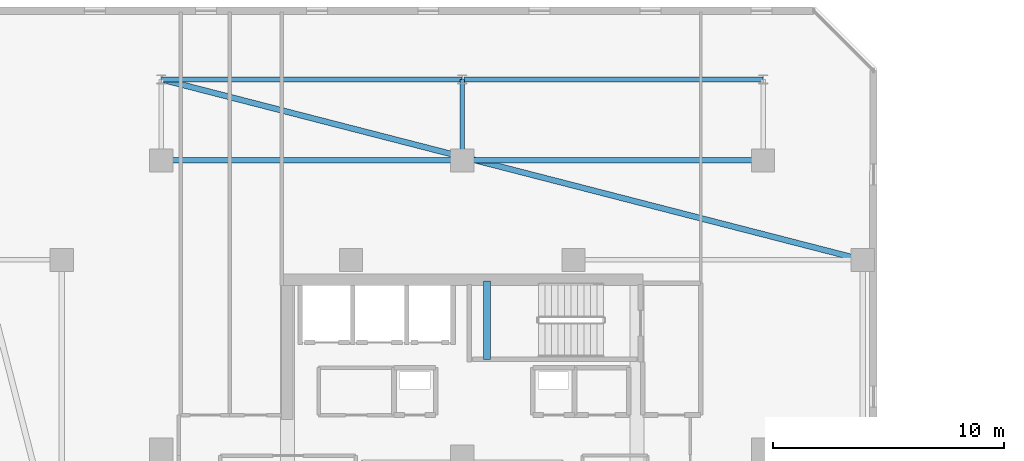
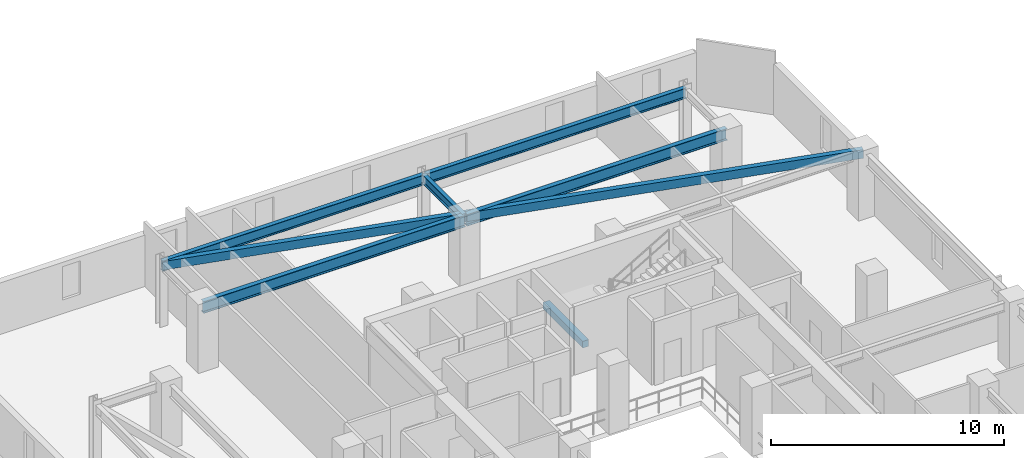
# One storey, part 8 of 33: 7 beams.
"""IFC4 building model written with IfcOpenShell, lengths in metres."""

from ifc_helpers import new_model, si_unit, direction, frame, origin, origin_2d, place, context, subcontext, project, spatial, rectangle, hollow_rectangle, i_section, extrude, material, material_profile, profile_set, type_object, element, save


model = new_model("IFC4")

# Units and contexts
model_context = context("Model", 3, precision=1e-05, world=origin(), true_north=direction((0.0, 1.0)))
body_context = subcontext(model_context, "Body", "Model", "MODEL_VIEW")
ifc_project = project(units=[si_unit("LENGTHUNIT", "METRE"), si_unit("AREAUNIT", "SQUARE_METRE"), si_unit("VOLUMEUNIT", "CUBIC_METRE"), si_unit("PLANEANGLEUNIT", "RADIAN"), si_unit("MASSUNIT", "GRAM", prefix="KILO")], contexts=[model_context])

# Site, building, storey
site_placement = place(None, origin())
site = spatial("IfcSite", under=ifc_project, at=site_placement, CompositionType="ELEMENT")
building_placement = place(site_placement, origin())
building = spatial("IfcBuilding", under=site, at=building_placement, Name="Thornwick Lancets Civic Towers", CompositionType="ELEMENT")
storey_placement = place(building_placement, frame((0.0, 0.0, 210.89990234375)))
storey = spatial("IfcBuildingStorey", under=building, at=storey_placement, Name="L56", CompositionType="ELEMENT", Elevation=210.89990234375)

# Beams
ifc_material_1 = material(Name="Steel S355JR", Category="steel")
ifc_material_profile_1 = material_profile(ifc_material_1, i_section(OverallWidth=0.210693359375, OverallDepth=0.53955078125, WebThickness=0.01171875, FlangeThickness=0.018798828125, FilletRadius=0.0126953125, at=origin_2d()), Name="UKB 533x210x109")
ifc_profile_set_1 = profile_set([ifc_material_profile_1], Name="Steel S355JR")
beam_type_1 = type_object("IfcBeamType", Name="BM_EDGE_533_109", PredefinedType="SPANDREL", material=ifc_profile_set_1)
beam_1_placement = place(storey_placement, frame((12.5, 47.800048828125, 3.09033203125), z_axis=(1.0, 0.0, 0.0), x_axis=(0.0, 1.0, 0.0)))
element("IfcBeam", 1, at=beam_1_placement, inside=storey, type_object=beam_type_1, Name="BM-EDGE-L56-A-S2-1", PredefinedType="SPANDREL", context=body_context, shape_type="SweptSolid", body=[
    extrude(i_section(OverallWidth=0.210693359375, OverallDepth=0.53955078125, WebThickness=0.01171875, FlangeThickness=0.018798828125, FilletRadius=0.0126953125, at=origin_2d()), origin(), (0.0, 0.0, 1.0), 13.0),
])
beam_2_placement = place(storey_placement, frame((25.580078125, 47.800048828125, 3.09033203125), z_axis=(1.0, 0.0, 0.0), x_axis=(0.0, 1.0, 0.0)))
element("IfcBeam", 2, at=beam_2_placement, inside=storey, type_object=beam_type_1, Name="BM-EDGE-L56-A-S2-2", PredefinedType="SPANDREL", context=body_context, shape_type="SweptSolid", body=[
    extrude(i_section(OverallWidth=0.210693359375, OverallDepth=0.53955078125, WebThickness=0.01171875, FlangeThickness=0.018798828125, FilletRadius=0.0126953125, at=origin_2d()), origin(), (0.0, 0.0, 1.0), 12.919921875),
])
ifc_material_profile_2 = material_profile(ifc_material_1, i_section(OverallWidth=0.230224609375, OverallDepth=0.6171875, WebThickness=0.01318359375, FlangeThickness=0.022216796875, FilletRadius=0.0126953125, at=origin_2d()), Name="UKB 610x229x140")
ifc_profile_set_2 = profile_set([ifc_material_profile_2], Name="Steel S355JR")
beam_type_2 = type_object("IfcBeamType", Name="BM_GIRD_610_140", PredefinedType="BEAM", material=ifc_profile_set_2)
beam_3_placement = place(storey_placement, frame((12.5, 44.300048828125, 3.051513671875), z_axis=(1.0, 0.0, 0.0), x_axis=(0.0, 1.0, 0.0)))
element("IfcBeam", 3, at=beam_3_placement, inside=storey, type_object=beam_type_2, Name="BM-SPINE-L56-A-6-7", PredefinedType="BEAM", context=body_context, shape_type="SweptSolid", body=[
    extrude(i_section(OverallWidth=0.230224609375, OverallDepth=0.6171875, WebThickness=0.01318359375, FlangeThickness=0.022216796875, FilletRadius=0.0126953125, at=origin_2d()), origin(), (0.0, 0.0, 1.0), 13.0),
])
beam_4_placement = place(storey_placement, frame((25.580078125, 44.300048828125, 3.051513671875), z_axis=(1.0, 0.0, 0.0), x_axis=(0.0, 1.0, 0.0)))
element("IfcBeam", 4, at=beam_4_placement, inside=storey, type_object=beam_type_2, Name="BM-SPINE-L56-A-7-8", PredefinedType="BEAM", context=body_context, shape_type="SweptSolid", body=[
    extrude(i_section(OverallWidth=0.230224609375, OverallDepth=0.6171875, WebThickness=0.01318359375, FlangeThickness=0.022216796875, FilletRadius=0.0126953125, at=origin_2d()), origin(), (0.0, 0.0, 1.0), 12.919921875),
])
ifc_material_profile_3 = material_profile(ifc_material_1, i_section(OverallWidth=0.19287109375, OverallDepth=0.46728515625, WebThickness=0.011474609375, FlangeThickness=0.01953125, FilletRadius=0.01025390625, at=origin_2d()), Name="UKB 457x191x98")
ifc_profile_set_3 = profile_set([ifc_material_profile_3], Name="Steel S355JR")
beam_type_3 = type_object("IfcBeamType", Name="BM_JOIST_457_98", PredefinedType="JOIST", material=ifc_profile_set_3)
beam_5_placement = place(storey_placement, frame((25.5, 44.300048828125, 3.12646484375), z_axis=(0.0, 1.0, 0.0), x_axis=(-1.0, 0.0, 0.0)))
element("IfcBeam", 5, at=beam_5_placement, inside=storey, type_object=beam_type_3, Name="BM-RAD-L56-A08", PredefinedType="JOIST", context=body_context, shape_type="SweptSolid", body=[
    extrude(i_section(OverallWidth=0.19287109375, OverallDepth=0.46728515625, WebThickness=0.011474609375, FlangeThickness=0.01953125, FilletRadius=0.01025390625, at=origin_2d()), origin(), (0.0, 0.0, 1.0), 3.5),
])
ifc_material_profile_4 = material_profile(ifc_material_1, hollow_rectangle(XDim=0.25, YDim=0.449951171875, WallThickness=0.01611328125, at=origin_2d()), Name="RHS 450x250x16")
ifc_profile_set_4 = profile_set([ifc_material_profile_4], Name="Steel S355JR")
beam_type_4 = type_object("IfcBeamType", Name="BM_RING_RHS450", PredefinedType="BEAM", material=ifc_profile_set_4)
beam_6_placement = place(storey_placement, frame((42.800048828125, 40.0, 3.135009765625), z_axis=(-0.96842654257, 0.249299080716, 0.0), x_axis=(-0.249299080716, -0.96842654257, 0.0)))
element("IfcBeam", 6, at=beam_6_placement, inside=storey, type_object=beam_type_4, Name="BM-CHAMF-L56-A-C1", PredefinedType="BEAM", context=body_context, shape_type="SweptSolid", body=[
    extrude(hollow_rectangle(XDim=0.25, YDim=0.449951171875, WallThickness=0.01611328125, at=origin_2d()), origin(), (0.0, 0.0, 1.0), 31.287841796875),
])
ifc_material_2 = material(Name="Concrete C40/50", Category="concrete")
ifc_material_profile_5 = material_profile(ifc_material_2, rectangle(XDim=0.300048828125, YDim=0.35009765625, at=origin_2d()), Name="RC 300x350")
ifc_profile_set_5 = profile_set([ifc_material_profile_5], Name="Concrete C40/50")
beam_type_5 = type_object("IfcBeamType", Name="BM_STAIR_LDG", PredefinedType="BEAM", material=ifc_profile_set_5)
beam_7_placement = place(storey_placement, frame((26.56494140625, 39.10009765625, 1.378173828125), z_axis=(0.0, -1.0, 0.0), x_axis=(1.0, 0.0, 0.0)))
element("IfcBeam", 7, at=beam_7_placement, inside=storey, type_object=beam_type_5, Name="L56 ST-A2 Landing Support Beam 1", PredefinedType="BEAM", context=body_context, shape_type="SweptSolid", body=[
    extrude(rectangle(XDim=0.300048828125, YDim=0.35009765625, at=origin_2d()), origin(), (0.0, 0.0, 1.0), 3.400146484375),
])

save(model, "model.ifc")
